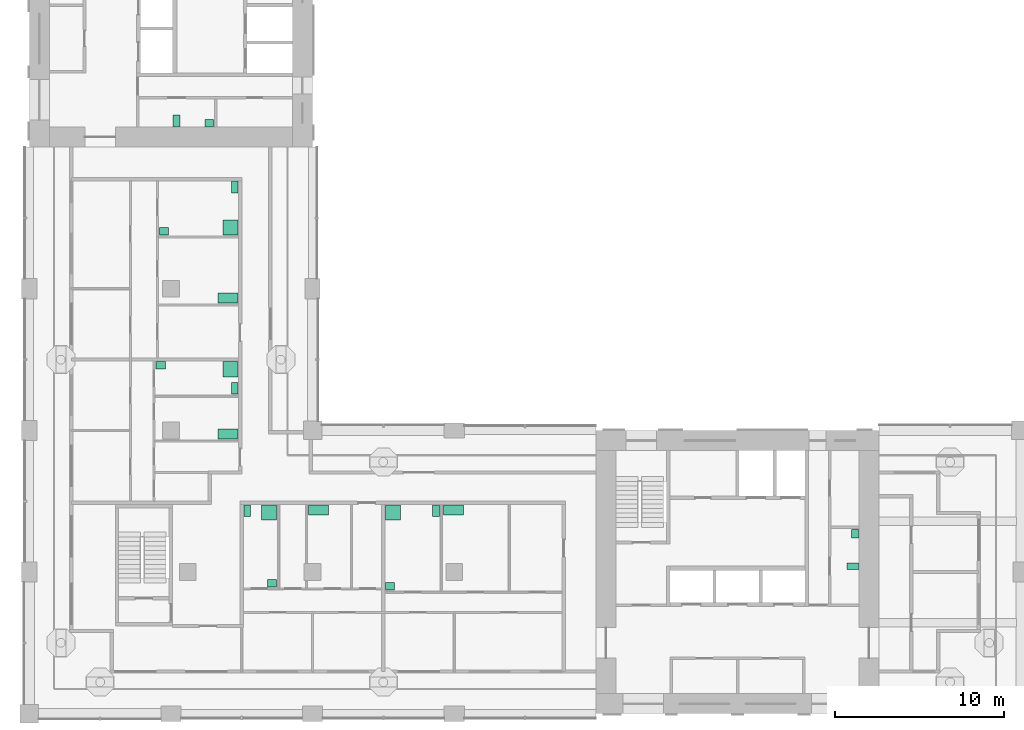
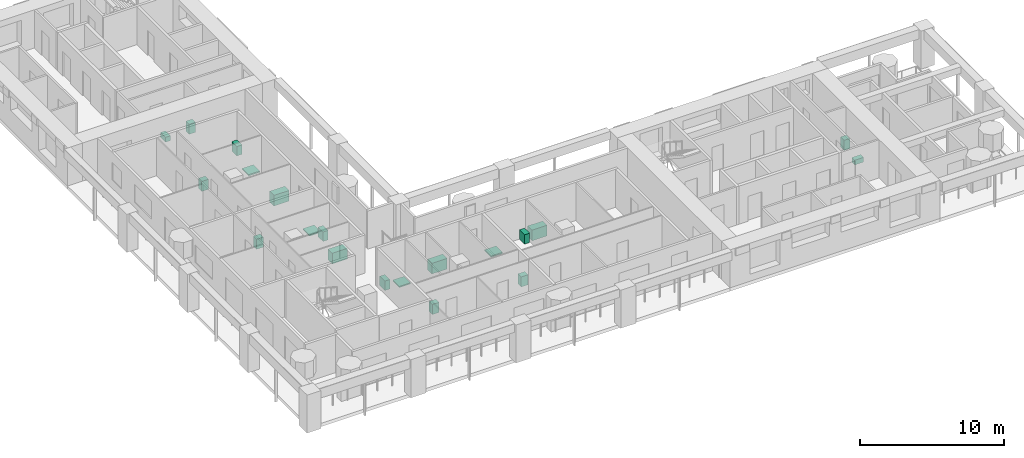
# One storey, part 11 of 13: 20 sanitary terminals.
"""IFC4 building model written with IfcOpenShell, lengths in metres."""

from ifc_helpers import new_model, si_unit, direction, frame, origin, origin_2d, place, context, subcontext, project, spatial, rectangle, extrude, material, element, save


model = new_model("IFC4")

# Units and contexts
model_context = context("Model", 3, precision=1e-05, world=origin(), true_north=direction((0.0, 1.0)))
body_context = subcontext(model_context, "Body", "Model", "MODEL_VIEW")
ifc_project = project(units=[si_unit("LENGTHUNIT", "METRE"), si_unit("AREAUNIT", "SQUARE_METRE"), si_unit("VOLUMEUNIT", "CUBIC_METRE"), si_unit("PLANEANGLEUNIT", "RADIAN"), si_unit("MASSUNIT", "GRAM", prefix="KILO")], contexts=[model_context])

# Site, building, storey
site_placement = place(None, origin())
site = spatial("IfcSite", under=ifc_project, at=site_placement, CompositionType="ELEMENT")
building_placement = place(site_placement, origin())
building = spatial("IfcBuilding", under=site, at=building_placement, Name="Vermilion Gate Residences", CompositionType="ELEMENT")
storey_placement = place(building_placement, frame((0.0, 0.0, 179.199951171875)))
storey = spatial("IfcBuildingStorey", under=building, at=storey_placement, Name="L46", CompositionType="ELEMENT", Elevation=179.199951171875)

# Sanitary terminals
ifc_material_1 = material(Name="Vitreous china")
sanitary_terminal_1_placement = place(storey_placement, frame((57.25, 17.137451171875, 0.0), z_axis=(0.0, 0.0, 1.0), x_axis=(1.0, 0.0, 0.0)))
element("IfcSanitaryTerminal", 1, at=sanitary_terminal_1_placement, inside=storey, material=ifc_material_1, Name="Toilet pan A46", PredefinedType="TOILETPAN", context=body_context, shape_type="SweptSolid", body=[
    extrude(rectangle(XDim=0.699951171875, YDim=0.39990234375, at=origin_2d()), origin(), (0.0, 0.0, 1.0), 0.39990234375),
])
sanitary_terminal_2_placement = place(storey_placement, frame((57.375, 19.074951171875, 0.0), z_axis=(0.0, 0.0, 1.0), x_axis=(1.0, 0.0, 0.0)))
element("IfcSanitaryTerminal", 2, at=sanitary_terminal_2_placement, inside=storey, material=ifc_material_1, Name="Washbasin A46", PredefinedType="WASHHANDBASIN", context=body_context, shape_type="SweptSolid", body=[
    extrude(rectangle(XDim=0.449951171875, YDim=0.5, at=origin_2d()), origin(), (0.0, 0.0, 1.0), 0.85009765625),
])
sanitary_terminal_3_placement = place(storey_placement, frame((17.137451171875, 43.550048828125, 0.0), z_axis=(0.0, 0.0, 1.0), x_axis=(1.0, 0.0, 0.0)))
element("IfcSanitaryTerminal", 3, at=sanitary_terminal_3_placement, inside=storey, material=ifc_material_1, Name="Toilet pan B46", PredefinedType="TOILETPAN", context=body_context, shape_type="SweptSolid", body=[
    extrude(rectangle(XDim=0.39990234375, YDim=0.699951171875, at=origin_2d()), origin(), (0.0, 0.0, 1.0), 0.39990234375),
])
sanitary_terminal_4_placement = place(storey_placement, frame((19.074951171875, 43.425048828125, 0.0), z_axis=(0.0, 0.0, 1.0), x_axis=(1.0, 0.0, 0.0)))
element("IfcSanitaryTerminal", 4, at=sanitary_terminal_4_placement, inside=storey, material=ifc_material_1, Name="Washbasin B46", PredefinedType="WASHHANDBASIN", context=body_context, shape_type="SweptSolid", body=[
    extrude(rectangle(XDim=0.5, YDim=0.449951171875, at=origin_2d()), origin(), (0.0, 0.0, 1.0), 0.85009765625),
])
sanitary_terminal_5_placement = place(storey_placement, frame((22.6201171875, 20.330078125, 0.0), z_axis=(0.0, 0.0, 1.0), x_axis=(1.0, 0.0, 0.0)))
element("IfcSanitaryTerminal", 5, at=sanitary_terminal_5_placement, inside=storey, material=ifc_material_1, Name="Shower tray", PredefinedType="SHOWER", context=body_context, shape_type="SweptSolid", body=[
    extrude(rectangle(XDim=0.89990234375, YDim=0.89990234375, at=origin_2d()), origin(), (0.0, 0.0, 1.0), 0.10009765625),
])
sanitary_terminal_6_placement = place(storey_placement, frame((21.320068359375, 20.429931640625, 0.0), z_axis=(0.0, 0.0, 1.0), x_axis=(1.0, 0.0, 0.0)))
element("IfcSanitaryTerminal", 6, at=sanitary_terminal_6_placement, inside=storey, material=ifc_material_1, Name="Toilet", PredefinedType="TOILETPAN", context=body_context, shape_type="SweptSolid", body=[
    extrude(rectangle(XDim=0.39990234375, YDim=0.699951171875, at=origin_2d()), origin(), (0.0, 0.0, 1.0), 0.800048828125),
])
sanitary_terminal_7_placement = place(storey_placement, frame((22.794921875, 16.14501953125, 0.0), z_axis=(0.0, 0.0, 1.0), x_axis=(1.0, 0.0, 0.0)))
element("IfcSanitaryTerminal", 7, at=sanitary_terminal_7_placement, inside=storey, material=ifc_material_1, Name="Wash basin", PredefinedType="WASHHANDBASIN", context=body_context, shape_type="SweptSolid", body=[
    extrude(rectangle(XDim=0.550048828125, YDim=0.449951171875, at=origin_2d()), origin(), (0.0, 0.0, 1.0), 0.85009765625),
])
ifc_material_2 = material(Name="Stainless steel", Category="steel")
sanitary_terminal_8_placement = place(storey_placement, frame((25.552001953125, 20.47998046875, 0.0), z_axis=(0.0, 0.0, 1.0), x_axis=(1.0, 0.0, 0.0)))
element("IfcSanitaryTerminal", 8, at=sanitary_terminal_8_placement, inside=storey, material=ifc_material_2, Name="Kitchen sink", PredefinedType="SINK", context=body_context, shape_type="SweptSolid", body=[
    extrude(rectangle(XDim=1.199951171875, YDim=0.60009765625, at=origin_2d()), origin(), (0.0, 0.0, 1.0), 0.89990234375),
])
sanitary_terminal_9_placement = place(storey_placement, frame((29.969970703125, 20.330078125, 0.0), z_axis=(0.0, 0.0, 1.0), x_axis=(1.0, 0.0, 0.0)))
element("IfcSanitaryTerminal", 9, at=sanitary_terminal_9_placement, inside=storey, material=ifc_material_1, Name="Shower tray", PredefinedType="SHOWER", context=body_context, shape_type="SweptSolid", body=[
    extrude(rectangle(XDim=0.89990234375, YDim=0.89990234375, at=origin_2d()), origin(), (0.0, 0.0, 1.0), 0.10009765625),
])
sanitary_terminal_10_placement = place(storey_placement, frame((32.512939453125, 20.429931640625, 0.0), z_axis=(0.0, 0.0, 1.0), x_axis=(1.0, 0.0, 0.0)))
element("IfcSanitaryTerminal", 10, at=sanitary_terminal_10_placement, inside=storey, material=ifc_material_1, Name="Toilet", PredefinedType="TOILETPAN", context=body_context, shape_type="SweptSolid", body=[
    extrude(rectangle(XDim=0.39990234375, YDim=0.699951171875, at=origin_2d()), origin(), (0.0, 0.0, 1.0), 0.800048828125),
])
sanitary_terminal_11_placement = place(storey_placement, frame((29.794921875, 15.945068359375, 0.0), z_axis=(0.0, 0.0, 1.0), x_axis=(1.0, 0.0, 0.0)))
element("IfcSanitaryTerminal", 11, at=sanitary_terminal_11_placement, inside=storey, material=ifc_material_1, Name="Wash basin", PredefinedType="WASHHANDBASIN", context=body_context, shape_type="SweptSolid", body=[
    extrude(rectangle(XDim=0.550048828125, YDim=0.449951171875, at=origin_2d()), origin(), (0.0, 0.0, 1.0), 0.85009765625),
])
for number, where, z_axis, x_axis, name in (
    (12, (33.552978515625, 20.47998046875, 0.0), (0.0, 0.0, 1.0), (1.0, 0.0, 0.0), "Kitchen sink"),
    (13, (20.179931640625, 24.98291015625, 0.0), (0.0, 0.0, 1.0), (1.0, 0.0, 0.0), "Kitchen sink"),
):
    element("IfcSanitaryTerminal", number, at=place(storey_placement, frame(where, z_axis=z_axis, x_axis=x_axis)), inside=storey, material=ifc_material_2, Name=name, PredefinedType="SINK", context=body_context, shape_type="SweptSolid", body=[
        extrude(rectangle(XDim=1.199951171875, YDim=0.60009765625, at=origin_2d()), origin(), (0.0, 0.0, 1.0), 0.89990234375),
    ])
sanitary_terminal_12_placement = place(storey_placement, frame((20.330078125, 28.830078125, 0.0), z_axis=(0.0, 0.0, 1.0), x_axis=(1.0, 0.0, 0.0)))
element("IfcSanitaryTerminal", 14, at=sanitary_terminal_12_placement, inside=storey, material=ifc_material_1, Name="Shower tray", PredefinedType="SHOWER", context=body_context, shape_type="SweptSolid", body=[
    extrude(rectangle(XDim=0.89990234375, YDim=0.89990234375, at=origin_2d()), origin(), (0.0, 0.0, 1.0), 0.10009765625),
])
sanitary_terminal_13_placement = place(storey_placement, frame((20.580078125, 27.695068359375, 0.0), z_axis=(0.0, 0.0, 1.0), x_axis=(1.0, 0.0, 0.0)))
element("IfcSanitaryTerminal", 15, at=sanitary_terminal_13_placement, inside=storey, material=ifc_material_1, Name="Toilet", PredefinedType="TOILETPAN", context=body_context, shape_type="SweptSolid", body=[
    extrude(rectangle(XDim=0.39990234375, YDim=0.699951171875, at=origin_2d()), origin(), (0.0, 0.0, 1.0), 0.800048828125),
])
sanitary_terminal_14_placement = place(storey_placement, frame((16.195068359375, 29.054931640625, 0.0), z_axis=(0.0, 0.0, 1.0), x_axis=(1.0, 0.0, 0.0)))
element("IfcSanitaryTerminal", 16, at=sanitary_terminal_14_placement, inside=storey, material=ifc_material_1, Name="Wash basin", PredefinedType="WASHHANDBASIN", context=body_context, shape_type="SweptSolid", body=[
    extrude(rectangle(XDim=0.550048828125, YDim=0.449951171875, at=origin_2d()), origin(), (0.0, 0.0, 1.0), 0.85009765625),
])
sanitary_terminal_15_placement = place(storey_placement, frame((20.179931640625, 33.052978515625, 0.0), z_axis=(0.0, 0.0, 1.0), x_axis=(1.0, 0.0, 0.0)))
element("IfcSanitaryTerminal", 17, at=sanitary_terminal_15_placement, inside=storey, material=ifc_material_2, Name="Kitchen sink", PredefinedType="SINK", context=body_context, shape_type="SweptSolid", body=[
    extrude(rectangle(XDim=1.199951171875, YDim=0.60009765625, at=origin_2d()), origin(), (0.0, 0.0, 1.0), 0.89990234375),
])
sanitary_terminal_16_placement = place(storey_placement, frame((20.330078125, 37.237060546875, 0.0), z_axis=(0.0, 0.0, 1.0), x_axis=(1.0, 0.0, 0.0)))
element("IfcSanitaryTerminal", 18, at=sanitary_terminal_16_placement, inside=storey, material=ifc_material_1, Name="Shower tray", PredefinedType="SHOWER", context=body_context, shape_type="SweptSolid", body=[
    extrude(rectangle(XDim=0.89990234375, YDim=0.89990234375, at=origin_2d()), origin(), (0.0, 0.0, 1.0), 0.10009765625),
])
sanitary_terminal_17_placement = place(storey_placement, frame((20.580078125, 39.6298828125, 0.0), z_axis=(0.0, 0.0, 1.0), x_axis=(1.0, 0.0, 0.0)))
element("IfcSanitaryTerminal", 19, at=sanitary_terminal_17_placement, inside=storey, material=ifc_material_1, Name="Toilet", PredefinedType="TOILETPAN", context=body_context, shape_type="SweptSolid", body=[
    extrude(rectangle(XDim=0.39990234375, YDim=0.699951171875, at=origin_2d()), origin(), (0.0, 0.0, 1.0), 0.800048828125),
])
sanitary_terminal_18_placement = place(storey_placement, frame((16.39501953125, 37.011962890625, 0.0), z_axis=(0.0, 0.0, 1.0), x_axis=(1.0, 0.0, 0.0)))
element("IfcSanitaryTerminal", 20, at=sanitary_terminal_18_placement, inside=storey, material=ifc_material_1, Name="Wash basin", PredefinedType="WASHHANDBASIN", context=body_context, shape_type="SweptSolid", body=[
    extrude(rectangle(XDim=0.550048828125, YDim=0.449951171875, at=origin_2d()), origin(), (0.0, 0.0, 1.0), 0.85009765625),
])

save(model, "model.ifc")
